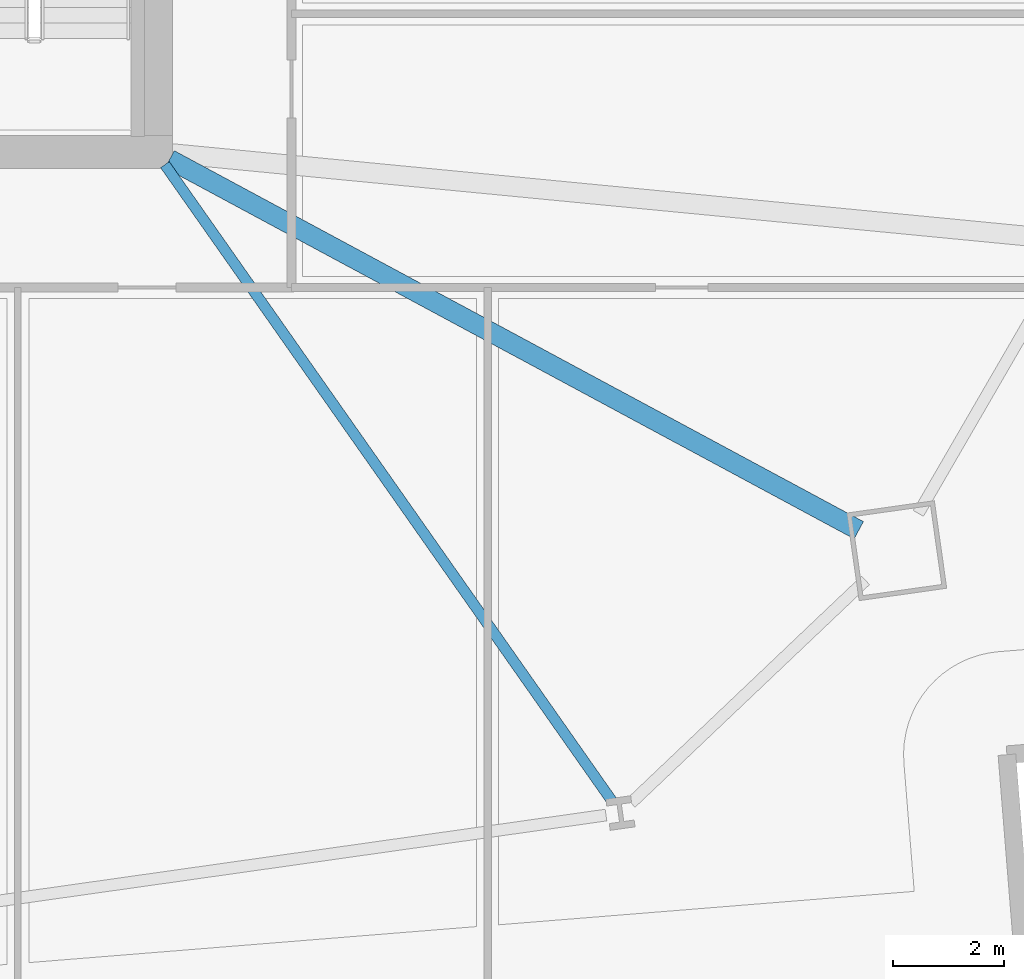
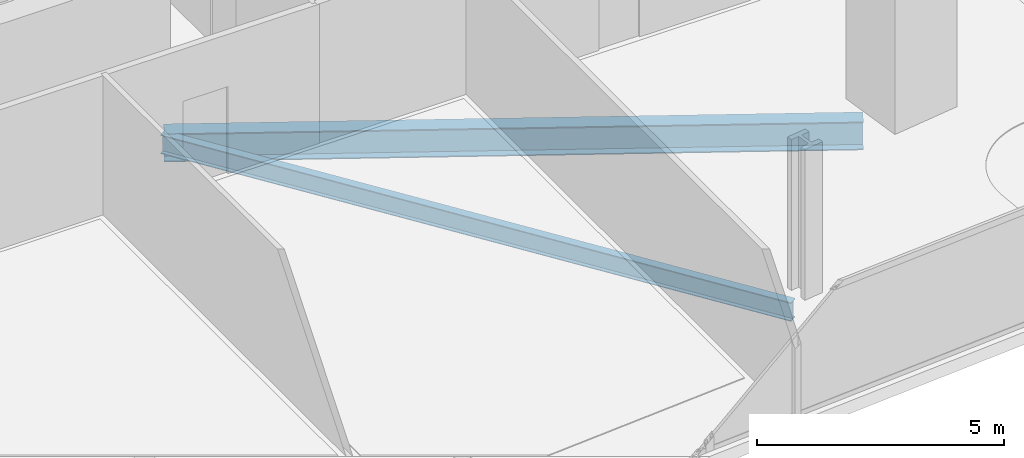
# One storey, part 10 of 33: 2 beams.
"""IFC4 building model written with IfcOpenShell, lengths in metres."""

from ifc_helpers import new_model, si_unit, direction, frame, origin, origin_2d, place, context, subcontext, project, spatial, i_section, extrude, material, material_profile, profile_set, type_object, element, save


model = new_model("IFC4")

# Units and contexts
model_context = context("Model", 3, precision=1e-05, world=origin(), true_north=direction((0.0, 1.0)))
body_context = subcontext(model_context, "Body", "Model", "MODEL_VIEW")
ifc_project = project(units=[si_unit("LENGTHUNIT", "METRE"), si_unit("AREAUNIT", "SQUARE_METRE"), si_unit("VOLUMEUNIT", "CUBIC_METRE"), si_unit("PLANEANGLEUNIT", "RADIAN"), si_unit("MASSUNIT", "GRAM", prefix="KILO")], contexts=[model_context])

# Site, building, storey
site_placement = place(None, origin())
site = spatial("IfcSite", under=ifc_project, at=site_placement, CompositionType="ELEMENT")
building_placement = place(site_placement, origin())
building = spatial("IfcBuilding", under=site, at=building_placement, Name="Haldenkirk Collegiate Tower", CompositionType="ELEMENT")
storey_placement = place(building_placement, frame((0.0, 0.0, 43.949951171875)))
storey = spatial("IfcBuildingStorey", under=building, at=storey_placement, Name="L09", CompositionType="ELEMENT", Elevation=43.949951171875)

# Beams
ifc_material = material(Name="Steel ASTM A992 Grade 50", Category="steel")
ifc_material_profile_1 = material_profile(ifc_material, i_section(OverallWidth=0.35498046875, OverallDepth=0.696044921875, WebThickness=0.015380859375, FlangeThickness=0.02490234375, at=origin_2d()), Name="W27X146")
ifc_profile_set_1 = profile_set([ifc_material_profile_1], Name="Steel ASTM A992 Grade 50")
beam_type_1 = type_object("IfcBeamType", Name="BM-GIRDER-W27X146", PredefinedType="BEAM", material=ifc_profile_set_1)
beam_1_placement = place(storey_placement, frame((57.71435546875, 11.15673828125, -0.657958984375), z_axis=(-0.880558564783, 0.473937352386, 0.0), x_axis=(-0.473937352386, -0.880558564783, 0.0)))
element("IfcBeam", 1, at=beam_1_placement, inside=storey, type_object=beam_type_1, Name="L09 primary floor girder 02", PredefinedType="BEAM", context=body_context, shape_type="SweptSolid", body=[
    extrude(i_section(OverallWidth=0.35498046875, OverallDepth=0.696044921875, WebThickness=0.015380859375, FlangeThickness=0.02490234375, at=origin_2d()), origin(), (0.0, 0.0, 1.0), 14.158935546875),
])
ifc_material_profile_2 = material_profile(ifc_material, i_section(OverallWidth=0.19189453125, OverallDepth=0.462890625, WebThickness=0.010498046875, FlangeThickness=0.017578125, at=origin_2d()), Name="W18X60")
ifc_profile_set_2 = profile_set([ifc_material_profile_2], Name="Steel ASTM A992 Grade 50")
beam_type_2 = type_object("IfcBeamType", Name="BM-JOIST-W18X60", PredefinedType="JOIST", material=ifc_profile_set_2)
beam_2_placement = place(storey_placement, frame((53.25048828125, 6.256591796875, -0.54150390625), z_axis=(-0.574869236657, 0.818245293751, 0.0), x_axis=(-0.818245293751, -0.574869236657, 0.0)))
element("IfcBeam", 2, at=beam_2_placement, inside=storey, type_object=beam_type_2, Name="L09 composite floor joist 07", PredefinedType="JOIST", context=body_context, shape_type="SweptSolid", body=[
    extrude(i_section(OverallWidth=0.19189453125, OverallDepth=0.462890625, WebThickness=0.010498046875, FlangeThickness=0.017578125, at=origin_2d()), origin(), (0.0, 0.0, 1.0), 14.072021484375),
])

save(model, "model.ifc")
